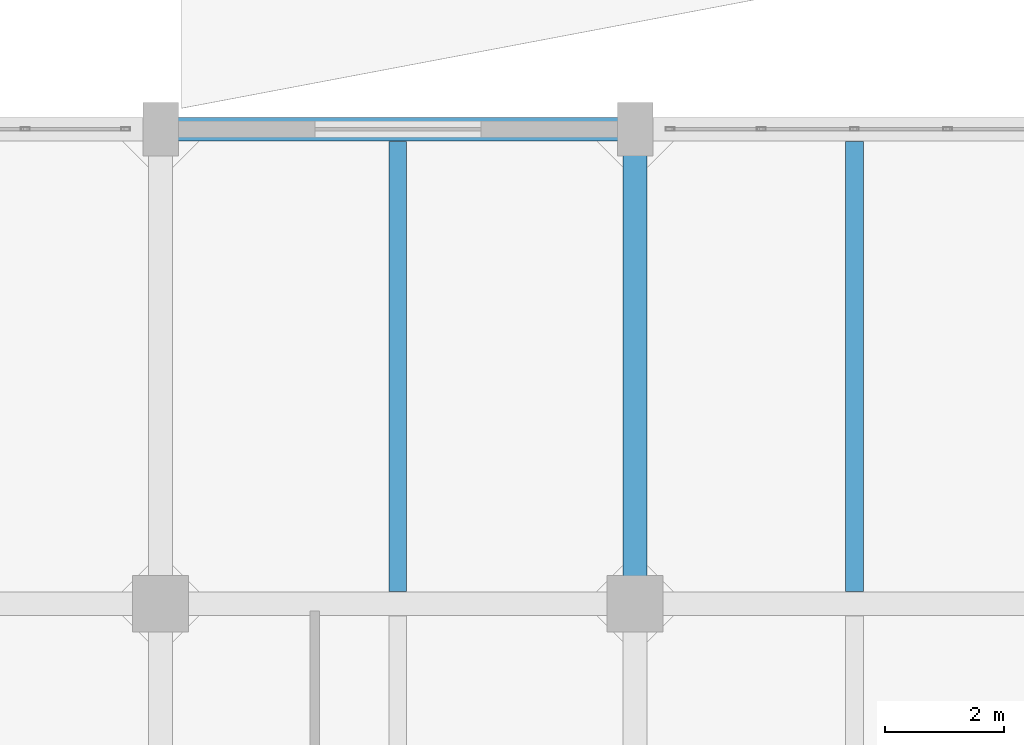
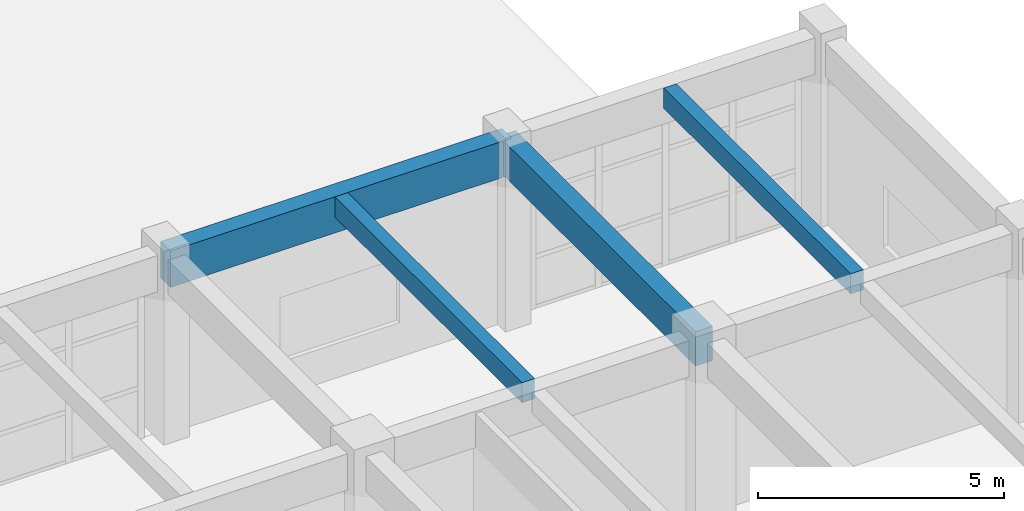
# One storey, part 41 of 63: 4 beams.
"""IFC4 building model written with IfcOpenShell, lengths in metres."""

from ifc_helpers import new_model, si_unit, direction, frame, origin, origin_2d, place, context, subcontext, project, spatial, rectangle, extrude, material, material_profile, profile_set, type_object, element, save


model = new_model("IFC4")

# Units and contexts
model_context = context("Model", 3, precision=1e-05, world=origin(), true_north=direction((0.0, 1.0)))
body_context = subcontext(model_context, "Body", "Model", "MODEL_VIEW")
ifc_project = project(units=[si_unit("LENGTHUNIT", "METRE"), si_unit("AREAUNIT", "SQUARE_METRE"), si_unit("VOLUMEUNIT", "CUBIC_METRE"), si_unit("PLANEANGLEUNIT", "RADIAN"), si_unit("MASSUNIT", "GRAM", prefix="KILO")], contexts=[model_context])

# Site, building, storey
site_placement = place(None, origin())
site = spatial("IfcSite", under=ifc_project, at=site_placement, CompositionType="ELEMENT")
building_placement = place(site_placement, origin())
building = spatial("IfcBuilding", under=site, at=building_placement, Name="Canggui Botanical Conservatory", CompositionType="ELEMENT")
storey_placement = place(building_placement, frame((0.0, 0.0, 10.199951171875)))
storey = spatial("IfcBuildingStorey", under=building, at=storey_placement, Name="L03", CompositionType="ELEMENT", Elevation=10.199951171875)

# Beams
ifc_material = material(Name="Concrete C35", Category="concrete")
ifc_material_profile_1 = material_profile(ifc_material, rectangle(XDim=0.300048828125, YDim=0.5, at=origin_2d()), Name="RB 300x500")
ifc_profile_set_1 = profile_set([ifc_material_profile_1], Name="Concrete C35")
beam_type_1 = type_object("IfcBeamType", Name="BM-JST02", PredefinedType="JOIST", material=ifc_profile_set_1)
for number, where, z_axis, x_axis, name in (
    (1, (166.0, 74.205078125, 4.300048828125), (0.0, 1.0, 0.0), (-1.0, 0.0, 0.0), "Secondary Floor Joist L03-4-7"),
    (2, (173.699951171875, 74.205078125, 4.300048828125), (0.0, 1.0, 0.0), (-1.0, 0.0, 0.0), "Secondary Floor Joist L03-5-7"),
):
    element("IfcBeam", number, at=place(storey_placement, frame(where, z_axis=z_axis, x_axis=x_axis)), inside=storey, type_object=beam_type_1, Name=name, PredefinedType="JOIST", context=body_context, shape_type="SweptSolid", body=[
        extrude(rectangle(XDim=0.300048828125, YDim=0.5, at=origin_2d()), origin(), (0.0, 0.0, 1.0), 7.58984375),
    ])
ifc_material_profile_2 = material_profile(ifc_material, rectangle(XDim=0.39990234375, YDim=0.89990234375, at=origin_2d()), Name="RB 400x900")
ifc_profile_set_2 = profile_set([ifc_material_profile_2], Name="Concrete C35")
beam_type_2 = type_object("IfcBeamType", Name="BM-KL07", PredefinedType="BEAM", material=ifc_profile_set_2)
beam_1_placement = place(storey_placement, frame((162.0, 82.0, 4.10009765625), z_axis=(1.0, 0.0, 0.0), x_axis=(0.0, 1.0, 0.0)))
element("IfcBeam", 3, at=beam_1_placement, inside=storey, type_object=beam_type_2, Name="Frame Girder L03 Y82-4", PredefinedType="BEAM", context=body_context, shape_type="SweptSolid", body=[
    extrude(rectangle(XDim=0.39990234375, YDim=0.89990234375, at=origin_2d()), origin(), (0.0, 0.0, 1.0), 8.0),
])
ifc_material_profile_3 = material_profile(ifc_material, rectangle(XDim=0.39990234375, YDim=0.85009765625, at=origin_2d()), Name="RB 400x850")
ifc_profile_set_3 = profile_set([ifc_material_profile_3], Name="Concrete C35")
beam_type_3 = type_object("IfcBeamType", Name="BM-KL08", PredefinedType="BEAM", material=ifc_profile_set_3)
beam_2_placement = place(storey_placement, frame((170.0, 74.0, 4.125), z_axis=(0.0, 1.0, 0.0), x_axis=(-1.0, 0.0, 0.0)))
element("IfcBeam", 4, at=beam_2_placement, inside=storey, type_object=beam_type_3, Name="Frame Girder L03 X170-7", PredefinedType="BEAM", context=body_context, shape_type="SweptSolid", body=[
    extrude(rectangle(XDim=0.39990234375, YDim=0.85009765625, at=origin_2d()), origin(), (0.0, 0.0, 1.0), 8.0),
])

save(model, "model.ifc")
